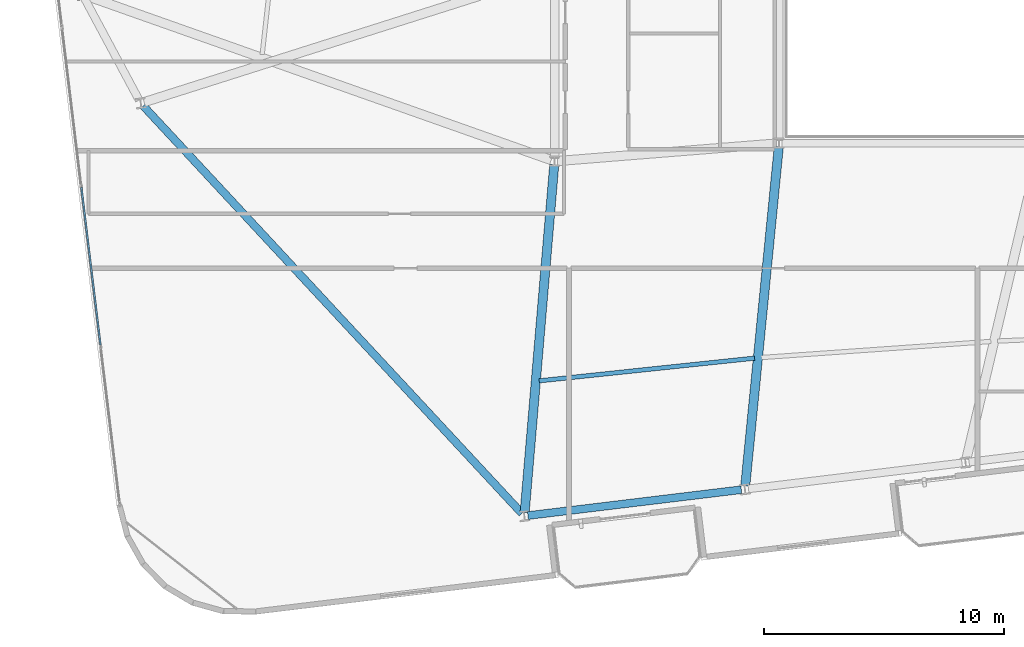
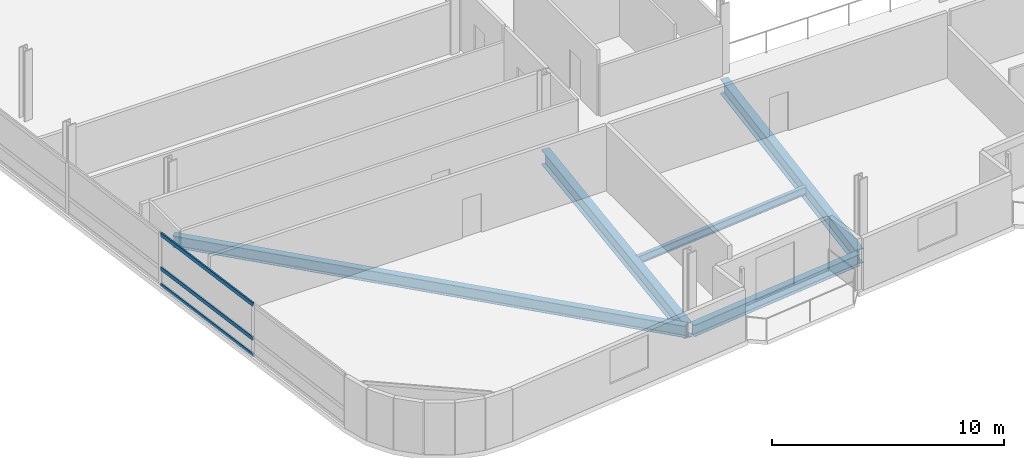
# One storey, part 3 of 23: 5 beams, 3 members, 1 element without a shape of its own.
"""IFC4 building model written with IfcOpenShell, lengths in metres."""

from ifc_helpers import new_model, si_unit, direction, frame, origin, origin_2d, place, context, subcontext, project, spatial, hollow_rectangle, i_section, extrude, material, layer, layer_set, material_profile, profile_set, type_object, element, aggregate, save


model = new_model("IFC4")

# Units and contexts
model_context = context("Model", 3, precision=1e-05, world=origin(), true_north=direction((0.0, 1.0)))
body_context = subcontext(model_context, "Body", "Model", "MODEL_VIEW")
ifc_project = project(units=[si_unit("LENGTHUNIT", "METRE"), si_unit("AREAUNIT", "SQUARE_METRE"), si_unit("VOLUMEUNIT", "CUBIC_METRE"), si_unit("PLANEANGLEUNIT", "RADIAN"), si_unit("MASSUNIT", "GRAM", prefix="KILO")], contexts=[model_context])

# Site, building, storey
site_placement = place(None, origin())
site = spatial("IfcSite", under=ifc_project, at=site_placement, CompositionType="ELEMENT")
building_placement = place(site_placement, origin())
building = spatial("IfcBuilding", under=site, at=building_placement, Name="Varnelok Gate Tower", CompositionType="ELEMENT")
storey_placement = place(building_placement, frame((0.0, 0.0, 182.0)))
storey = spatial("IfcBuildingStorey", under=building, at=storey_placement, Name="L46", CompositionType="ELEMENT", Elevation=182.0)

# Beams
ifc_material_1 = material(Name="Structural Steel ASTM A992 Grade 50", Category="steel")
ifc_material_profile_1 = material_profile(ifc_material_1, i_section(OverallWidth=0.180908203125, OverallDepth=0.4169921875, WebThickness=0.010986328125, FlangeThickness=0.018310546875, FilletRadius=0.013916015625, at=origin_2d()), Name="W16X57")
ifc_profile_set_1 = profile_set([ifc_material_profile_1], Name="Structural Steel ASTM A992 Grade 50")
beam_type_1 = type_object("IfcBeamType", Name="BM-JST-W16X57", PredefinedType="JOIST", material=ifc_profile_set_1)
beam_1_placement = place(storey_placement, frame((23.759765625, 9.6591796875, -0.45849609375), z_axis=(0.994484366942, 0.104884907915, 0.0), x_axis=(-0.104884907915, 0.994484366942, 0.0)))
element("IfcBeam", 1, at=beam_1_placement, inside=storey, type_object=beam_type_1, Name="L46 Sector Floor Joist 1", PredefinedType="JOIST", context=body_context, shape_type="SweptSolid", body=[
    extrude(i_section(OverallWidth=0.180908203125, OverallDepth=0.4169921875, WebThickness=0.010986328125, FlangeThickness=0.018310546875, FilletRadius=0.013916015625, at=origin_2d()), origin(), (0.0, 0.0, 1.0), 9.017578125),
])
ifc_material_profile_2 = material_profile(ifc_material_1, i_section(OverallWidth=0.381103515625, OverallDepth=0.77294921875, WebThickness=0.0166015625, FlangeThickness=0.027099609375, FilletRadius=0.02197265625, at=origin_2d()), Name="W30X173")
ifc_profile_set_2 = profile_set([ifc_material_profile_2], Name="Structural Steel ASTM A992 Grade 50")
beam_type_2 = type_object("IfcBeamType", Name="BM-PRI-W30X173", PredefinedType="BEAM", material=ifc_profile_set_2)
beam_2_placement = place(storey_placement, frame((24.38720703125, 18.650390625, -0.636474609375), z_axis=(-0.08482646823, -0.996395739798, 0.0), x_axis=(0.996395739798, -0.08482646823, 0.0)))
element("IfcBeam", 2, at=beam_2_placement, inside=storey, type_object=beam_type_2, Name="L46 Radial Floor Girder 1", PredefinedType="BEAM", context=body_context, shape_type="SweptSolid", body=[
    extrude(i_section(OverallWidth=0.381103515625, OverallDepth=0.77294921875, WebThickness=0.0166015625, FlangeThickness=0.027099609375, FilletRadius=0.02197265625, at=origin_2d()), origin(), (0.0, 0.0, 1.0), 14.52001953125),
])
beam_3_placement = place(storey_placement, frame((33.735107421875, 19.400634765625, -0.636474609375), z_axis=(-0.098420734253, -0.995144893505, 0.0), x_axis=(0.995144893505, -0.098420734253, 0.0)))
element("IfcBeam", 3, at=beam_3_placement, inside=storey, type_object=beam_type_2, Name="L46 Radial Floor Girder 2", PredefinedType="BEAM", context=body_context, shape_type="SweptSolid", body=[
    extrude(i_section(OverallWidth=0.381103515625, OverallDepth=0.77294921875, WebThickness=0.0166015625, FlangeThickness=0.027099609375, FilletRadius=0.02197265625, at=origin_2d()), origin(), (0.0, 0.0, 1.0), 14.174072265625),
])
ifc_material_profile_3 = material_profile(ifc_material_1, i_section(OverallWidth=0.323974609375, OverallDepth=0.611083984375, WebThickness=0.0126953125, FlangeThickness=0.01904296875, FilletRadius=0.01806640625, at=origin_2d()), Name="W24X104")
ifc_profile_set_3 = profile_set([ifc_material_profile_3], Name="Structural Steel ASTM A992 Grade 50")
beam_type_3 = type_object("IfcBeamType", Name="BM-SPN-W24X104", PredefinedType="SPANDREL", material=ifc_profile_set_3)
beam_4_placement = place(storey_placement, frame((23.29150390625, 4.051025390625, -0.555419921875), z_axis=(0.99273141198, 0.120350918849, 0.0), x_axis=(-0.120350918849, 0.99273141198, 0.0)))
element("IfcBeam", 4, at=beam_4_placement, inside=storey, type_object=beam_type_3, Name="L46 Perimeter Spandrel Beam 1", PredefinedType="SPANDREL", context=body_context, shape_type="SweptSolid", body=[
    extrude(i_section(OverallWidth=0.323974609375, OverallDepth=0.611083984375, WebThickness=0.0126953125, FlangeThickness=0.01904296875, FilletRadius=0.01806640625, at=origin_2d()), origin(), (0.0, 0.0, 1.0), 8.949951171875),
])
beam_5_placement = place(storey_placement, frame((7.27685546875, 21.106201171875, -0.555419921875), z_axis=(0.680728456616, -0.732535847828, 0.0), x_axis=(0.732535847828, 0.680728456616, 0.0)))
element("IfcBeam", 5, at=beam_5_placement, inside=storey, type_object=beam_type_3, Name="L46 Perimeter Spandrel Beam 16", PredefinedType="SPANDREL", context=body_context, shape_type="SweptSolid", body=[
    extrude(i_section(OverallWidth=0.323974609375, OverallDepth=0.611083984375, WebThickness=0.0126953125, FlangeThickness=0.01904296875, FilletRadius=0.01806640625, at=origin_2d()), origin(), (0.0, 0.0, 1.0), 23.156982421875),
])

# Curtain wall, members
ifc_material_2 = material(Name="Anodized Aluminum Alloy 6063-T6", Category="aluminium")
ifc_layer = layer(ifc_material_2, 0.179931640625)
ifc_layer_set = layer_set([ifc_layer], Name="Anodized Aluminum Alloy 6063-T6")
curtain_wall_type = type_object("IfcCurtainWallType", Name="CW4-RESIDENCE-VISION", PredefinedType="USERDEFINED", material=ifc_layer_set)
curtain_wall_placement = place(storey_placement, origin())
curtain_wall = element("IfcCurtainWall", 6, at=curtain_wall_placement, inside=storey, type_object=curtain_wall_type, Name="L46 West End Vision Curtain Wall", ObjectType="UNITISED CURTAIN WALL", PredefinedType="USERDEFINED")
ifc_material_profile_4 = material_profile(ifc_material_2, hollow_rectangle(XDim=0.074951171875, YDim=0.199951171875, WallThickness=0.00390625, at=origin_2d()), Name="ALU200X75X4")
ifc_profile_set_4 = profile_set([ifc_material_profile_4], Name="Anodized Aluminum Alloy 6063-T6")
member_type = type_object("IfcMemberType", Name="CW-TRAN-200", PredefinedType="USERDEFINED", material=ifc_profile_set_4)
member_1_placement = place(storey_placement, frame((5.496826171875, 11.15869140625, 0.03759765625), z_axis=(-0.120349029092, 0.992731641078, 0.0), x_axis=(-0.992731641078, -0.120349029092, 0.0)))
member_1 = element("IfcMember", 7, at=member_1_placement, type_object=member_type, Name="CW4 transom 2.1", ObjectType="TRANSOM", PredefinedType="USERDEFINED", context=body_context, shape_type="SweptSolid", body=[
    extrude(hollow_rectangle(XDim=0.074951171875, YDim=0.199951171875, WallThickness=0.00390625, at=origin_2d()), origin(), (0.0, 0.0, 1.0), 6.605224609375),
])
member_2_placement = place(storey_placement, frame((5.496826171875, 11.15869140625, 0.89990234375), z_axis=(-0.120349029092, 0.992731641078, 0.0), x_axis=(-0.992731641078, -0.120349029092, 0.0)))
member_2 = element("IfcMember", 8, at=member_2_placement, type_object=member_type, Name="CW4 transom 2.2", ObjectType="TRANSOM", PredefinedType="USERDEFINED", context=body_context, shape_type="SweptSolid", body=[
    extrude(hollow_rectangle(XDim=0.074951171875, YDim=0.199951171875, WallThickness=0.00390625, at=origin_2d()), origin(), (0.0, 0.0, 1.0), 6.605224609375),
])
member_3_placement = place(storey_placement, frame((5.496826171875, 11.15869140625, 2.6923828125), z_axis=(-0.120349029092, 0.992731641078, 0.0), x_axis=(-0.992731641078, -0.120349029092, 0.0)))
member_3 = element("IfcMember", 9, at=member_3_placement, type_object=member_type, Name="CW4 transom 2.3", ObjectType="TRANSOM", PredefinedType="USERDEFINED", context=body_context, shape_type="SweptSolid", body=[
    extrude(hollow_rectangle(XDim=0.074951171875, YDim=0.199951171875, WallThickness=0.00390625, at=origin_2d()), origin(), (0.0, 0.0, 1.0), 6.605224609375),
])
aggregate(curtain_wall, [member_1, member_2, member_3])

save(model, "model.ifc")
